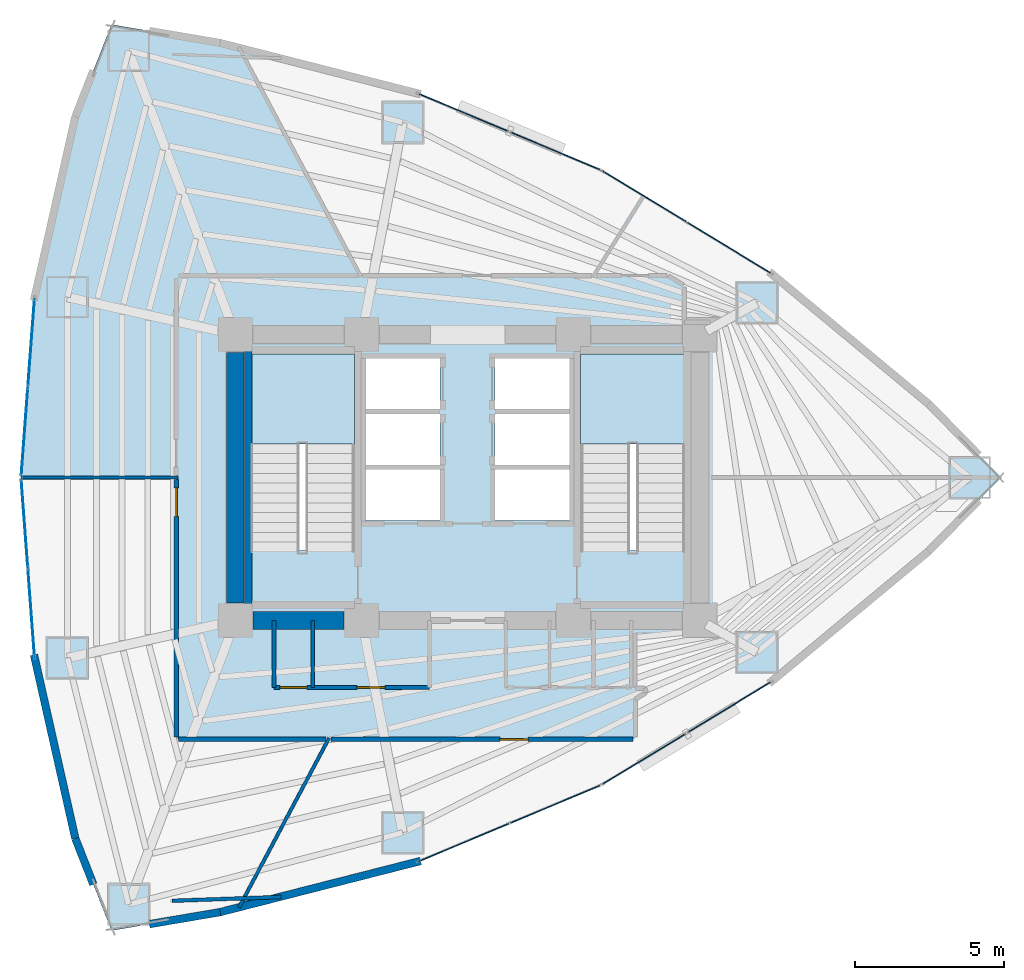
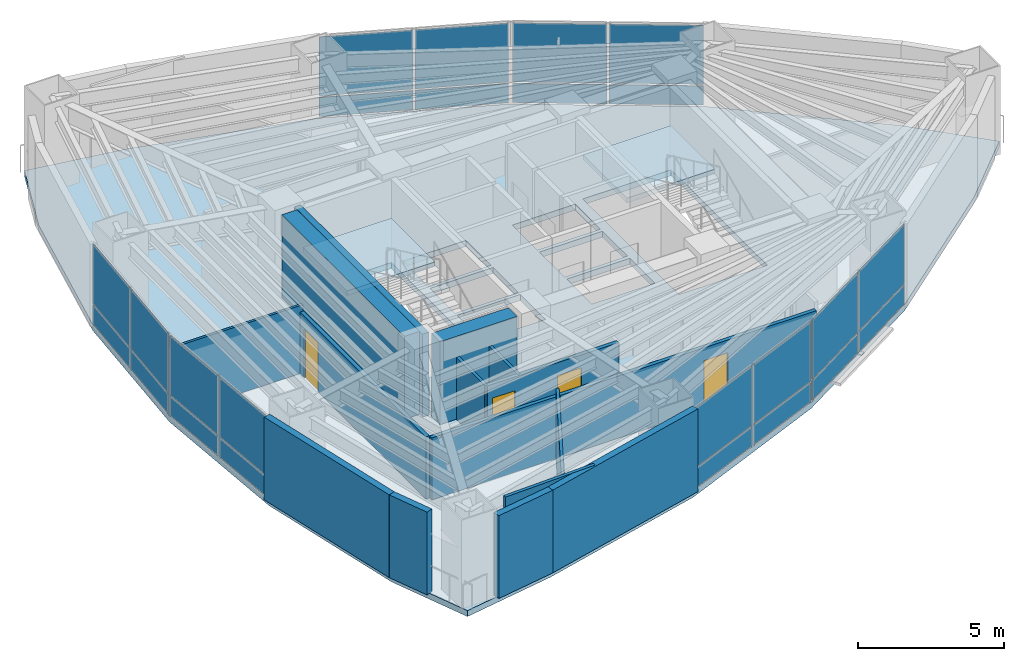
# One storey, part 13 of 18: 24 plates, 16 walls, 4 doors, 3 slabs, 4 openings, 8 elements without a shape of their own.
"""IFC4 building model written with IfcOpenShell, lengths in metres."""

from ifc_helpers import new_model, si_unit, direction, frame, frame_2d, origin, origin_2d, place, context, subcontext, project, spatial, polyline, rectangle, outline, extrude, material, layer, layer_set, type_object, element, fill, aggregate, save


model = new_model("IFC4")

# Units and contexts
model_context = context("Model", 3, precision=1e-05, world=origin(), true_north=direction((0.0, 1.0)))
body_context = subcontext(model_context, "Body", "Model", "MODEL_VIEW")
ifc_project = project(units=[si_unit("LENGTHUNIT", "METRE"), si_unit("AREAUNIT", "SQUARE_METRE"), si_unit("VOLUMEUNIT", "CUBIC_METRE"), si_unit("PLANEANGLEUNIT", "RADIAN"), si_unit("MASSUNIT", "GRAM", prefix="KILO")], contexts=[model_context])

# Site, building, storey
site_placement = place(None, origin())
site = spatial("IfcSite", under=ifc_project, at=site_placement, CompositionType="ELEMENT")
building_placement = place(site_placement, origin())
building = spatial("IfcBuilding", under=site, at=building_placement, Name="Menara Vayukalpa", CompositionType="ELEMENT")
storey_placement = place(building_placement, frame((0.0, 0.0, 35.0400390625)))
storey = spatial("IfcBuildingStorey", under=building, at=storey_placement, Name="L07", CompositionType="ELEMENT", Elevation=35.0400390625)

# Curtain wall, plates
ifc_material_1 = material(Name="Anodised Terracotta Aluminium Alloy 6063-T6", Category="masonry")
ifc_layer_1 = layer(ifc_material_1, 0.1650390625)
ifc_layer_set_1 = layer_set([ifc_layer_1], Name="Anodised Terracotta Aluminium Alloy 6063-T6")
curtain_wall_type = type_object("IfcCurtainWallType", Name="CW-CW2", PredefinedType="USERDEFINED", material=ifc_layer_set_1)
curtain_wall_1_placement = place(storey_placement, origin())
curtain_wall_1 = element("IfcCurtainWall", 1, at=curtain_wall_1_placement, inside=storey, type_object=curtain_wall_type, Name="L07 Low Rise Terracotta Ribbon Curtain Wall CW2 04", ObjectType="UNITISED", PredefinedType="USERDEFINED")
ifc_material_2 = material(Name="Low-E Double Glazing", Category="glass")
ifc_layer_2 = layer(ifc_material_2, 0.031982421875)
ifc_layer_set_2 = layer_set([ifc_layer_2], Name="Low-E Double Glazing")
plate_type = type_object("IfcPlateType", Name="CWP-CW2", PredefinedType="CURTAIN_PANEL", material=ifc_layer_set_2)
plate_1_placement = place(storey_placement, frame((34.371826171875, 29.721435546875, 0.06494140625), z_axis=(0.0, 0.0, 1.0), x_axis=(-0.854663727945, 0.519181964377, 0.0)))
plate_1 = element("IfcPlate", 2, at=plate_1_placement, type_object=plate_type, Name="CW2 panel 1.1", PredefinedType="CURTAIN_PANEL", context=body_context, shape_type="SweptSolid", body=[
    extrude(rectangle(XDim=3.24267578125, YDim=0.031982421875, at=origin_2d()), origin(), (0.0, 0.0, 1.0), 0.802490234375),
])
plate_2_placement = place(storey_placement, frame((34.371826171875, 29.721435546875, 0.9326171875), z_axis=(0.0, 0.0, 1.0), x_axis=(-0.854663727945, 0.519181964377, 0.0)))
plate_2 = element("IfcPlate", 3, at=plate_2_placement, type_object=plate_type, Name="CW2 panel 1.2", PredefinedType="CURTAIN_PANEL", context=body_context, shape_type="SweptSolid", body=[
    extrude(rectangle(XDim=3.24267578125, YDim=0.031982421875, at=origin_2d()), origin(), (0.0, 0.0, 1.0), 2.472412109375),
])
plate_3_placement = place(storey_placement, frame((31.54052734375, 31.44140625, 0.06494140625), z_axis=(0.0, 0.0, 1.0), x_axis=(-0.854663727945, 0.519181964377, 0.0)))
plate_3 = element("IfcPlate", 4, at=plate_3_placement, type_object=plate_type, Name="CW2 panel 2.1", PredefinedType="CURTAIN_PANEL", context=body_context, shape_type="SweptSolid", body=[
    extrude(rectangle(XDim=3.24267578125, YDim=0.031982421875, at=origin_2d()), origin(), (0.0, 0.0, 1.0), 0.802490234375),
])
plate_4_placement = place(storey_placement, frame((31.54052734375, 31.44140625, 0.9326171875), z_axis=(0.0, 0.0, 1.0), x_axis=(-0.854663727945, 0.519181964377, 0.0)))
plate_4 = element("IfcPlate", 5, at=plate_4_placement, type_object=plate_type, Name="CW2 panel 2.2", PredefinedType="CURTAIN_PANEL", context=body_context, shape_type="SweptSolid", body=[
    extrude(rectangle(XDim=3.24267578125, YDim=0.031982421875, at=origin_2d()), origin(), (0.0, 0.0, 1.0), 2.472412109375),
])
aggregate(curtain_wall_1, [plate_1, plate_2, plate_3, plate_4])

curtain_wall_2_placement = place(storey_placement, origin())
curtain_wall_2 = element("IfcCurtainWall", 6, at=curtain_wall_2_placement, inside=storey, type_object=curtain_wall_type, Name="L07 Low Rise Terracotta Ribbon Curtain Wall CW2 05", ObjectType="UNITISED", PredefinedType="USERDEFINED")
plate_5_placement = place(storey_placement, frame((28.534912109375, 32.97216796875, 0.06494140625), z_axis=(0.0, 0.0, 1.0), x_axis=(-0.922542658101, 0.385895120445, 0.0)))
plate_5 = element("IfcPlate", 7, at=plate_5_placement, type_object=plate_type, Name="CW2 panel 1.1", PredefinedType="CURTAIN_PANEL", context=body_context, shape_type="SweptSolid", body=[
    extrude(rectangle(XDim=3.242431640625, YDim=0.031982421875, at=origin_2d()), origin(), (0.0, 0.0, 1.0), 0.802490234375),
])
plate_6_placement = place(storey_placement, frame((28.534912109375, 32.97216796875, 0.9326171875), z_axis=(0.0, 0.0, 1.0), x_axis=(-0.922542658101, 0.385895120445, 0.0)))
plate_6 = element("IfcPlate", 8, at=plate_6_placement, type_object=plate_type, Name="CW2 panel 1.2", PredefinedType="CURTAIN_PANEL", context=body_context, shape_type="SweptSolid", body=[
    extrude(rectangle(XDim=3.242431640625, YDim=0.031982421875, at=origin_2d()), origin(), (0.0, 0.0, 1.0), 2.472412109375),
])
plate_7_placement = place(storey_placement, frame((25.478759765625, 34.250244140625, 0.06494140625), z_axis=(0.0, 0.0, 1.0), x_axis=(-0.922542658101, 0.385895120445, 0.0)))
plate_7 = element("IfcPlate", 9, at=plate_7_placement, type_object=plate_type, Name="CW2 panel 2.1", PredefinedType="CURTAIN_PANEL", context=body_context, shape_type="SweptSolid", body=[
    extrude(rectangle(XDim=3.242431640625, YDim=0.031982421875, at=origin_2d()), origin(), (0.0, 0.0, 1.0), 0.802490234375),
])
plate_8_placement = place(storey_placement, frame((25.478759765625, 34.250244140625, 0.9326171875), z_axis=(0.0, 0.0, 1.0), x_axis=(-0.922542658101, 0.385895120445, 0.0)))
plate_8 = element("IfcPlate", 10, at=plate_8_placement, type_object=plate_type, Name="CW2 panel 2.2", PredefinedType="CURTAIN_PANEL", context=body_context, shape_type="SweptSolid", body=[
    extrude(rectangle(XDim=3.242431640625, YDim=0.031982421875, at=origin_2d()), origin(), (0.0, 0.0, 1.0), 2.472412109375),
])
aggregate(curtain_wall_2, [plate_5, plate_6, plate_7, plate_8])

curtain_wall_3_placement = place(storey_placement, origin())
curtain_wall_3 = element("IfcCurtainWall", 11, at=curtain_wall_3_placement, inside=storey, type_object=curtain_wall_type, Name="L07 Low Rise Terracotta Ribbon Curtain Wall CW2 10", ObjectType="UNITISED", PredefinedType="USERDEFINED")
plate_9_placement = place(storey_placement, frame((10.94921875, 26.52734375, 0.06494140625), z_axis=(0.0, 0.0, 1.0), x_axis=(-0.074794857576, -0.997198941676, 0.0)))
plate_9 = element("IfcPlate", 12, at=plate_9_placement, type_object=plate_type, Name="CW2 panel 1.1", PredefinedType="CURTAIN_PANEL", context=body_context, shape_type="SweptSolid", body=[
    extrude(rectangle(XDim=2.933349609375, YDim=0.031982421875, at=origin_2d()), origin(), (0.0, 0.0, 1.0), 0.802490234375),
])
plate_10_placement = place(storey_placement, frame((10.94921875, 26.52734375, 0.9326171875), z_axis=(0.0, 0.0, 1.0), x_axis=(-0.074794857576, -0.997198941676, 0.0)))
plate_10 = element("IfcPlate", 13, at=plate_10_placement, type_object=plate_type, Name="CW2 panel 1.2", PredefinedType="CURTAIN_PANEL", context=body_context, shape_type="SweptSolid", body=[
    extrude(rectangle(XDim=2.933349609375, YDim=0.031982421875, at=origin_2d()), origin(), (0.0, 0.0, 1.0), 2.472412109375),
])
plate_11_placement = place(storey_placement, frame((10.724609375, 23.532470703125, 0.06494140625), z_axis=(0.0, 0.0, 1.0), x_axis=(-0.074794857576, -0.997198941676, 0.0)))
plate_11 = element("IfcPlate", 14, at=plate_11_placement, type_object=plate_type, Name="CW2 panel 2.1", PredefinedType="CURTAIN_PANEL", context=body_context, shape_type="SweptSolid", body=[
    extrude(rectangle(XDim=2.933349609375, YDim=0.031982421875, at=origin_2d()), origin(), (0.0, 0.0, 1.0), 0.802490234375),
])
plate_12_placement = place(storey_placement, frame((10.724609375, 23.532470703125, 0.9326171875), z_axis=(0.0, 0.0, 1.0), x_axis=(-0.074794857576, -0.997198941676, 0.0)))
plate_12 = element("IfcPlate", 15, at=plate_12_placement, type_object=plate_type, Name="CW2 panel 2.2", PredefinedType="CURTAIN_PANEL", context=body_context, shape_type="SweptSolid", body=[
    extrude(rectangle(XDim=2.933349609375, YDim=0.031982421875, at=origin_2d()), origin(), (0.0, 0.0, 1.0), 2.472412109375),
])
aggregate(curtain_wall_3, [plate_9, plate_10, plate_11, plate_12])

curtain_wall_4_placement = place(storey_placement, origin())
curtain_wall_4 = element("IfcCurtainWall", 16, at=curtain_wall_4_placement, inside=storey, type_object=curtain_wall_type, Name="L07 Low Rise Terracotta Ribbon Curtain Wall CW2 11", ObjectType="UNITISED", PredefinedType="USERDEFINED")
plate_13_placement = place(storey_placement, frame((10.724609375, 20.467529296875, 0.06494140625), z_axis=(0.0, 0.0, 1.0), x_axis=(0.074794857576, -0.997198941676, 0.0)))
plate_13 = element("IfcPlate", 17, at=plate_13_placement, type_object=plate_type, Name="CW2 panel 1.1", PredefinedType="CURTAIN_PANEL", context=body_context, shape_type="SweptSolid", body=[
    extrude(rectangle(XDim=2.933349609375, YDim=0.031982421875, at=origin_2d()), origin(), (0.0, 0.0, 1.0), 0.802490234375),
])
plate_14_placement = place(storey_placement, frame((10.724609375, 20.467529296875, 0.9326171875), z_axis=(0.0, 0.0, 1.0), x_axis=(0.074794857576, -0.997198941676, 0.0)))
plate_14 = element("IfcPlate", 18, at=plate_14_placement, type_object=plate_type, Name="CW2 panel 1.2", PredefinedType="CURTAIN_PANEL", context=body_context, shape_type="SweptSolid", body=[
    extrude(rectangle(XDim=2.933349609375, YDim=0.031982421875, at=origin_2d()), origin(), (0.0, 0.0, 1.0), 2.472412109375),
])
plate_15_placement = place(storey_placement, frame((10.94921875, 17.47265625, 0.06494140625), z_axis=(0.0, 0.0, 1.0), x_axis=(0.074794857576, -0.997198941676, 0.0)))
plate_15 = element("IfcPlate", 19, at=plate_15_placement, type_object=plate_type, Name="CW2 panel 2.1", PredefinedType="CURTAIN_PANEL", context=body_context, shape_type="SweptSolid", body=[
    extrude(rectangle(XDim=2.933349609375, YDim=0.031982421875, at=origin_2d()), origin(), (0.0, 0.0, 1.0), 0.802490234375),
])
plate_16_placement = place(storey_placement, frame((10.94921875, 17.47265625, 0.9326171875), z_axis=(0.0, 0.0, 1.0), x_axis=(0.074794857576, -0.997198941676, 0.0)))
plate_16 = element("IfcPlate", 20, at=plate_16_placement, type_object=plate_type, Name="CW2 panel 2.2", PredefinedType="CURTAIN_PANEL", context=body_context, shape_type="SweptSolid", body=[
    extrude(rectangle(XDim=2.933349609375, YDim=0.031982421875, at=origin_2d()), origin(), (0.0, 0.0, 1.0), 2.472412109375),
])
aggregate(curtain_wall_4, [plate_13, plate_14, plate_15, plate_16])

curtain_wall_5_placement = place(storey_placement, origin())
curtain_wall_5 = element("IfcCurtainWall", 21, at=curtain_wall_5_placement, inside=storey, type_object=curtain_wall_type, Name="L07 Low Rise Terracotta Ribbon Curtain Wall CW2 16", ObjectType="UNITISED", PredefinedType="USERDEFINED")
plate_17_placement = place(storey_placement, frame((25.478759765625, 9.749755859375, 0.06494140625), z_axis=(0.0, 0.0, 1.0), x_axis=(0.922542658101, 0.385895120445, 0.0)))
plate_17 = element("IfcPlate", 22, at=plate_17_placement, type_object=plate_type, Name="CW2 panel 1.1", PredefinedType="CURTAIN_PANEL", context=body_context, shape_type="SweptSolid", body=[
    extrude(rectangle(XDim=3.242431640625, YDim=0.031982421875, at=origin_2d()), origin(), (0.0, 0.0, 1.0), 0.802490234375),
])
plate_18_placement = place(storey_placement, frame((25.478759765625, 9.749755859375, 0.9326171875), z_axis=(0.0, 0.0, 1.0), x_axis=(0.922542658101, 0.385895120445, 0.0)))
plate_18 = element("IfcPlate", 23, at=plate_18_placement, type_object=plate_type, Name="CW2 panel 1.2", PredefinedType="CURTAIN_PANEL", context=body_context, shape_type="SweptSolid", body=[
    extrude(rectangle(XDim=3.242431640625, YDim=0.031982421875, at=origin_2d()), origin(), (0.0, 0.0, 1.0), 2.472412109375),
])
plate_19_placement = place(storey_placement, frame((28.534912109375, 11.02783203125, 0.06494140625), z_axis=(0.0, 0.0, 1.0), x_axis=(0.922542658101, 0.385895120445, 0.0)))
plate_19 = element("IfcPlate", 24, at=plate_19_placement, type_object=plate_type, Name="CW2 panel 2.1", PredefinedType="CURTAIN_PANEL", context=body_context, shape_type="SweptSolid", body=[
    extrude(rectangle(XDim=3.242431640625, YDim=0.031982421875, at=origin_2d()), origin(), (0.0, 0.0, 1.0), 0.802490234375),
])
plate_20_placement = place(storey_placement, frame((28.534912109375, 11.02783203125, 0.9326171875), z_axis=(0.0, 0.0, 1.0), x_axis=(0.922542658101, 0.385895120445, 0.0)))
plate_20 = element("IfcPlate", 25, at=plate_20_placement, type_object=plate_type, Name="CW2 panel 2.2", PredefinedType="CURTAIN_PANEL", context=body_context, shape_type="SweptSolid", body=[
    extrude(rectangle(XDim=3.242431640625, YDim=0.031982421875, at=origin_2d()), origin(), (0.0, 0.0, 1.0), 2.472412109375),
])
aggregate(curtain_wall_5, [plate_17, plate_18, plate_19, plate_20])

curtain_wall_6_placement = place(storey_placement, origin())
curtain_wall_6 = element("IfcCurtainWall", 26, at=curtain_wall_6_placement, inside=storey, type_object=curtain_wall_type, Name="L07 Low Rise Terracotta Ribbon Curtain Wall CW2 17", ObjectType="UNITISED", PredefinedType="USERDEFINED")
plate_21_placement = place(storey_placement, frame((31.54052734375, 12.55859375, 0.06494140625), z_axis=(0.0, 0.0, 1.0), x_axis=(0.854663727945, 0.519181964377, 0.0)))
plate_21 = element("IfcPlate", 27, at=plate_21_placement, type_object=plate_type, Name="CW2 panel 1.1", PredefinedType="CURTAIN_PANEL", context=body_context, shape_type="SweptSolid", body=[
    extrude(rectangle(XDim=3.24267578125, YDim=0.031982421875, at=origin_2d()), origin(), (0.0, 0.0, 1.0), 0.802490234375),
])
plate_22_placement = place(storey_placement, frame((31.54052734375, 12.55859375, 0.9326171875), z_axis=(0.0, 0.0, 1.0), x_axis=(0.854663727945, 0.519181964377, 0.0)))
plate_22 = element("IfcPlate", 28, at=plate_22_placement, type_object=plate_type, Name="CW2 panel 1.2", PredefinedType="CURTAIN_PANEL", context=body_context, shape_type="SweptSolid", body=[
    extrude(rectangle(XDim=3.24267578125, YDim=0.031982421875, at=origin_2d()), origin(), (0.0, 0.0, 1.0), 2.472412109375),
])
plate_23_placement = place(storey_placement, frame((34.371826171875, 14.278564453125, 0.06494140625), z_axis=(0.0, 0.0, 1.0), x_axis=(0.854663727945, 0.519181964377, 0.0)))
plate_23 = element("IfcPlate", 29, at=plate_23_placement, type_object=plate_type, Name="CW2 panel 2.1", PredefinedType="CURTAIN_PANEL", context=body_context, shape_type="SweptSolid", body=[
    extrude(rectangle(XDim=3.24267578125, YDim=0.031982421875, at=origin_2d()), origin(), (0.0, 0.0, 1.0), 0.802490234375),
])
plate_24_placement = place(storey_placement, frame((34.371826171875, 14.278564453125, 0.9326171875), z_axis=(0.0, 0.0, 1.0), x_axis=(0.854663727945, 0.519181964377, 0.0)))
plate_24 = element("IfcPlate", 30, at=plate_24_placement, type_object=plate_type, Name="CW2 panel 2.2", PredefinedType="CURTAIN_PANEL", context=body_context, shape_type="SweptSolid", body=[
    extrude(rectangle(XDim=3.24267578125, YDim=0.031982421875, at=origin_2d()), origin(), (0.0, 0.0, 1.0), 2.472412109375),
])
aggregate(curtain_wall_6, [plate_21, plate_22, plate_23, plate_24])

# Slab
ifc_material_3 = material(Name="Concrete C40/50", Category="concrete")
ifc_layer_3 = layer(ifc_material_3, 0.25)
ifc_layer_set_3 = layer_set([ifc_layer_3], Name="Concrete C40/50")
slab_type_1 = type_object("IfcSlabType", Name="SLB-FL250", PredefinedType="FLOOR", material=ifc_layer_set_3)
slab_1_placement = place(storey_placement, frame((0.0, 0.0, -0.25)))
element("IfcSlab", 31, at=slab_1_placement, inside=storey, type_object=slab_type_1, Name="L07 Structural Floor Slab", PredefinedType="FLOOR", context=body_context, shape_type="SweptSolid", body=[
    extrude(outline(polyline([(41.084716796875, 19.52490234375), (43.514892578125, 22.0), (41.084716796875, 24.47509765625), (35.817138671875, 28.843505859375), (30.09521484375, 32.3193359375), (23.918701171875, 34.903076171875), (17.28759765625, 36.59423828125), (13.642578125, 37.212890625), (12.427490234375, 34.119140625), (11.064208984375, 28.0595703125), (10.609619140625, 22.0), (11.064208984375, 15.9404296875), (12.427490234375, 9.880859375), (13.642578125, 6.787109375), (17.28759765625, 7.40576171875), (23.918701171875, 9.096923828125), (30.09521484375, 11.6806640625), (35.817138671875, 15.156494140625), (41.084716796875, 19.52490234375)]), holes=[polyline([(21.800048828125, 19.550048828125), (21.800048828125, 26.14990234375), (18.300048828125, 26.14990234375), (18.300048828125, 19.550048828125), (21.800048828125, 19.550048828125)]), polyline([(32.89990234375, 19.550048828125), (32.89990234375, 26.14990234375), (29.39990234375, 26.14990234375), (29.39990234375, 19.550048828125), (32.89990234375, 19.550048828125)]), polyline([(22.179931640625, 20.550048828125), (24.679931640625, 20.550048828125), (24.679931640625, 22.27001953125), (22.179931640625, 22.27001953125), (22.179931640625, 20.550048828125)]), polyline([(26.52001953125, 20.550048828125), (29.02001953125, 20.550048828125), (29.02001953125, 22.27001953125), (26.52001953125, 22.27001953125), (26.52001953125, 20.550048828125)]), polyline([(22.179931640625, 22.419921875), (24.679931640625, 22.419921875), (24.679931640625, 24.139892578125), (22.179931640625, 24.139892578125), (22.179931640625, 22.419921875)]), polyline([(22.179931640625, 24.2900390625), (24.679931640625, 24.2900390625), (24.679931640625, 26.010009765625), (22.179931640625, 26.010009765625), (22.179931640625, 24.2900390625)]), polyline([(26.52001953125, 24.2900390625), (29.02001953125, 24.2900390625), (29.02001953125, 26.010009765625), (26.52001953125, 26.010009765625), (26.52001953125, 24.2900390625)]), polyline([(26.52001953125, 22.419921875), (29.02001953125, 22.419921875), (29.02001953125, 24.139892578125), (26.52001953125, 24.139892578125), (26.52001953125, 22.419921875)])]), origin(), (0.0, 0.0, 1.0), 0.25),
])

# Stair, slab
ifc_material_4 = material(Name="Precast Concrete C40/50", Category="concrete")
stair_type = type_object("IfcStairType", Name="STR-T04", PredefinedType="DOUBLE_RETURN_STAIR", material=ifc_material_4)
stair_1_placement = place(storey_placement, origin())
stair_1 = element("IfcStair", 32, at=stair_1_placement, inside=storey, type_object=stair_type, Name="L07 Core Exit Stair ST-1", PredefinedType="DOUBLE_RETURN_STAIR")
ifc_material_5 = material(Name="Precast Concrete C40/50", Category="concrete")
ifc_layer_4 = layer(ifc_material_5, 0.199951171875)
ifc_layer_set_4 = layer_set([ifc_layer_4], Name="Precast Concrete C40/50")
slab_type_2 = type_object("IfcSlabType", Name="SLB-LND200", PredefinedType="LANDING", material=ifc_layer_set_4)
slab_2_placement = place(storey_placement, frame((0.0, 0.0, 1.659912109375)))
slab_2 = element("IfcSlab", 33, at=slab_2_placement, type_object=slab_type_2, Name="ST-1 landing 1", PredefinedType="LANDING", context=body_context, shape_type="SweptSolid", body=[
    extrude(outline(polyline([(21.800048828125, 23.1298828125), (21.800048828125, 26.14990234375), (18.300048828125, 26.14990234375), (18.300048828125, 23.1298828125), (21.800048828125, 23.1298828125)])), origin(), (0.0, 0.0, 1.0), 0.199951171875),
])
aggregate(stair_1, [slab_2])

stair_2_placement = place(storey_placement, origin())
stair_2 = element("IfcStair", 34, at=stair_2_placement, inside=storey, type_object=stair_type, Name="L07 Core Exit Stair ST-2", PredefinedType="DOUBLE_RETURN_STAIR")
slab_3_placement = place(storey_placement, frame((0.0, 0.0, 1.659912109375)))
slab_3 = element("IfcSlab", 35, at=slab_3_placement, type_object=slab_type_2, Name="ST-2 landing 1", PredefinedType="LANDING", context=body_context, shape_type="SweptSolid", body=[
    extrude(outline(polyline([(32.89990234375, 23.1298828125), (32.89990234375, 26.14990234375), (29.39990234375, 26.14990234375), (29.39990234375, 23.1298828125), (32.89990234375, 23.1298828125)])), origin(), (0.0, 0.0, 1.0), 0.199951171875),
])
aggregate(stair_2, [slab_3])

# Walls
ifc_material_6 = material(Name="Concrete C70/85", Category="concrete")
ifc_layer_5 = layer(ifc_material_6, 0.60009765625)
ifc_layer_set_5 = layer_set([ifc_layer_5], Name="Concrete C70/85")
wall_type_1 = type_object("IfcWallType", Name="WAL-CW600", PredefinedType="SHEAR", material=ifc_layer_set_5)
wall_1_placement = place(storey_placement, frame((18.39501953125, 17.199951171875, 0.0), z_axis=(0.0, 0.0, 1.0), x_axis=(1.0, 0.0, 0.0)))
element("IfcWall", 36, at=wall_1_placement, inside=storey, type_object=wall_type_1, Name="L07 Buttressed Core Shear Wall CWS1", PredefinedType="SHEAR", context=body_context, shape_type="SweptSolid", body=[
    extrude(rectangle(XDim=3.06005859375, YDim=0.60009765625, at=frame_2d((1.530029296875, 0.0))), origin(), (0.0, 0.0, 1.0), 3.469970703125),
])
wall_2_placement = place(storey_placement, frame((17.800048828125, 17.794921875, 0.0), z_axis=(0.0, 0.0, 1.0), x_axis=(0.0, 1.0, 0.0)))
element("IfcWall", 37, at=wall_2_placement, inside=storey, type_object=wall_type_1, Name="L07 Buttressed Core Shear Wall CWW1", PredefinedType="SHEAR", context=body_context, shape_type="SweptSolid", body=[
    extrude(rectangle(XDim=8.41015625, YDim=0.60009765625, at=frame_2d((4.205078125, 0.0))), origin(), (0.0, 0.0, 1.0), 3.469970703125),
])
ifc_material_7 = material(Name="Insulated Precast Concrete C40/50", Category="concrete")
ifc_layer_6 = layer(ifc_material_7, 0.260009765625)
ifc_layer_set_6 = layer_set([ifc_layer_6], Name="Insulated Precast Concrete C40/50")
wall_type_2 = type_object("IfcWallType", Name="WAL-EXT260", PredefinedType="PARTITIONING", material=ifc_layer_set_6)
wall_3_placement = place(storey_placement, frame((12.427490234375, 9.880859375, 0.0), z_axis=(0.0, 0.0, 1.0), x_axis=(-0.219502085231, 0.975612030768, 0.0)))
element("IfcWall", 38, at=wall_3_placement, inside=storey, type_object=wall_type_2, Name="L07 Perimeter Terracotta Pier Wall 12", PredefinedType="PARTITIONING", context=body_context, shape_type="SweptSolid", body=[
    extrude(rectangle(XDim=6.32080078125, YDim=0.260009765625, at=frame_2d((3.160400390625, 0.0))), origin(), (0.0, 0.0, 1.0), 3.469970703125),
])
wall_4_placement = place(storey_placement, frame((13.033203125, 8.339111328125, 0.0), z_axis=(0.0, 0.0, 1.0), x_axis=(-0.365666052462, 0.930746119023, 0.0)))
element("IfcWall", 39, at=wall_4_placement, inside=storey, type_object=wall_type_2, Name="L07 Perimeter Terracotta Pier Wall 13", PredefinedType="PARTITIONING", context=body_context, shape_type="SweptSolid", body=[
    extrude(rectangle(XDim=1.656494140625, YDim=0.260009765625, at=frame_2d((0.828125, 0.0))), origin(), (0.0, 0.0, 1.0), 3.469970703125),
])
wall_5_placement = place(storey_placement, frame((17.29345703125, 7.40673828125, 0.0), z_axis=(0.0, 0.0, 1.0), x_axis=(-0.985905469923, -0.167303330437, 0.0)))
element("IfcWall", 40, at=wall_5_placement, inside=storey, type_object=wall_type_2, Name="L07 Perimeter Terracotta Pier Wall 14", PredefinedType="PARTITIONING", context=body_context, shape_type="SweptSolid", body=[
    extrude(rectangle(XDim=2.412109375, YDim=0.260009765625, at=frame_2d((1.2060546875, 0.0))), origin(), (0.0, 0.0, 1.0), 3.469970703125),
])
wall_6_placement = place(storey_placement, frame((24.025146484375, 9.124267578125, 0.0), z_axis=(0.0, 0.0, 1.0), x_axis=(-0.968977974408, -0.247147092057, 0.0)))
element("IfcWall", 41, at=wall_6_placement, inside=storey, type_object=wall_type_2, Name="L07 Perimeter Terracotta Pier Wall 15", PredefinedType="PARTITIONING", context=body_context, shape_type="SweptSolid", body=[
    extrude(rectangle(XDim=6.959228515625, YDim=0.260009765625, at=frame_2d((3.4794921875, 0.0))), origin(), (0.0, 0.0, 1.0), 3.469970703125),
])
ifc_material_8 = material(Name="Glazed Demountable Office Partition", Category="glass")
ifc_layer_7 = layer(ifc_material_8, 0.094970703125)
ifc_layer_set_7 = layer_set([ifc_layer_7], Name="Glazed Demountable Office Partition")
wall_type_3 = type_object("IfcWallType", Name="WAL-PT100", PredefinedType="PARTITIONING", material=ifc_layer_set_7)
wall_7_placement = place(storey_placement, frame((15.8701171875, 22.0, 0.0), z_axis=(0.0, 0.0, 1.0), x_axis=(-1.0, 0.0, 0.0)))
element("IfcWall", 42, at=wall_7_placement, inside=storey, type_object=wall_type_3, Name="L07 Interior Partition IW-L07-RDIV04", PredefinedType="PARTITIONING", context=body_context, shape_type="SweptSolid", body=[
    extrude(rectangle(XDim=5.2705078125, YDim=0.094970703125, at=frame_2d((2.63525390625, 0.0))), origin(), (0.0, 0.0, 1.0), 2.849853515625),
])
ifc_material_9 = material(Name="Acoustic Mineral Stud Partition", Category="masonry")
ifc_layer_8 = layer(ifc_material_9, 0.110107421875)
ifc_layer_set_8 = layer_set([ifc_layer_8], Name="Acoustic Mineral Stud Partition")
wall_type_4 = type_object("IfcWallType", Name="WAL-PT110", PredefinedType="PARTITIONING", material=ifc_layer_set_8)
wall_8_placement = place(storey_placement, frame((20.39990234375, 14.949951171875, 0.0), z_axis=(0.0, 0.0, 1.0), x_axis=(0.0, 1.0, 0.0)))
element("IfcWall", 43, at=wall_8_placement, inside=storey, type_object=wall_type_4, Name="L07 Interior Partition IW-L07-SVCD-02", PredefinedType="PARTITIONING", context=body_context, shape_type="SweptSolid", body=[
    extrude(rectangle(XDim=2.25, YDim=0.110107421875, at=frame_2d((1.125, 0.0))), origin(), (0.0, 0.0, 1.0), 2.599853515625),
])
wall_9_placement = place(storey_placement, frame((20.952880859375, 13.260009765625, 0.0), z_axis=(0.0, 0.0, 1.0), x_axis=(-0.469479450278, -0.88294339896, 0.0)))
element("IfcWall", 44, at=wall_9_placement, inside=storey, type_object=wall_type_4, Name="L07 Interior Partition IW-L07-RDIV05", PredefinedType="PARTITIONING", context=body_context, shape_type="SweptSolid", body=[
    extrude(rectangle(XDim=6.459228515625, YDim=0.110107421875, at=frame_2d((3.2294921875, 0.0))), origin(), (0.0, 0.0, 1.0), 2.849853515625),
])
ifc_material_10 = material(Name="Gypsum Drywall Steel Stud Assembly", Category="steel")
ifc_layer_9 = layer(ifc_material_10, 0.125)
ifc_layer_set_9 = layer_set([ifc_layer_9], Name="Gypsum Drywall Steel Stud Assembly")
wall_type_5 = type_object("IfcWallType", Name="WAL-PT125", PredefinedType="PARTITIONING", material=ifc_layer_set_9)
wall_10_placement = place(storey_placement, frame((19.10009765625, 14.949951171875, 0.0), z_axis=(0.0, 0.0, 1.0), x_axis=(0.0, 1.0, 0.0)))
element("IfcWall", 45, at=wall_10_placement, inside=storey, type_object=wall_type_5, Name="L07 Interior Partition IW-L07-SVCD-01", PredefinedType="PARTITIONING", context=body_context, shape_type="SweptSolid", body=[
    extrude(rectangle(XDim=2.25, YDim=0.125, at=frame_2d((1.125, 0.0))), origin(), (0.0, 0.0, 1.0), 2.599853515625),
])
wall_11_placement = place(storey_placement, frame((15.68994140625, 7.7890625, 0.0), z_axis=(0.0, 0.0, 1.0), x_axis=(0.999389725088, 0.03493103762, 0.0)))
element("IfcWall", 46, at=wall_11_placement, inside=storey, type_object=wall_type_5, Name="L07 Interior Partition IW-L07-RDIV07", PredefinedType="PARTITIONING", context=body_context, shape_type="SweptSolid", body=[
    extrude(rectangle(XDim=3.641357421875, YDim=0.125, at=frame_2d((1.82080078125, 0.0))), origin(), (0.0, 0.0, 1.0), 3.469970703125),
])

# Wall, openings, doors
ifc_material_11 = material(Name="Gypsum Drywall Acoustic Stud Assembly", Category="masonry")
ifc_layer_10 = layer(ifc_material_11, 0.14501953125)
ifc_layer_set_10 = layer_set([ifc_layer_10], Name="Gypsum Drywall Acoustic Stud Assembly")
wall_type_6 = type_object("IfcWallType", Name="WAL-PT150", PredefinedType="PARTITIONING", material=ifc_layer_set_10)
wall_12_placement = place(storey_placement, frame((19.10009765625, 14.949951171875, 0.0), z_axis=(0.0, 0.0, 1.0), x_axis=(1.0, 0.0, 0.0)))
wall_12 = element("IfcWall", 47, at=wall_12_placement, inside=storey, type_object=wall_type_6, Name="L07 Interior Partition IW-L07-SVCS-W", PredefinedType="PARTITIONING", context=body_context, shape_type="SweptSolid", body=[
    extrude(rectangle(XDim=5.219970703125, YDim=0.14501953125, at=frame_2d((2.60986328125, 0.0))), origin(), (0.0, 0.0, 1.0), 2.599853515625),
])
opening_1_placement = place(wall_12_placement, frame((0.199951171875, 0.0, 0.0)))
opening_1 = element("IfcOpeningElement", 48, at=opening_1_placement, cuts=wall_12, Name="Opening ID7", PredefinedType="OPENING", context=body_context, shape_type="SweptSolid", body=[
    extrude(rectangle(XDim=0.89990234375, YDim=2.02001953125, at=frame_2d((0.449951171875, 1.010009765625))), frame((0.0, 0.08251953125, 0.0), z_axis=(0.0, -1.0, 0.0), x_axis=(1.0, 0.0, 0.0)), (0.0, 0.0, 1.0), 0.1650390625),
])
opening_2_placement = place(wall_12_placement, frame((2.784912109375, 0.0, 0.0)))
opening_2 = element("IfcOpeningElement", 49, at=opening_2_placement, cuts=wall_12, Name="Opening ID5", PredefinedType="OPENING", context=body_context, shape_type="SweptSolid", body=[
    extrude(rectangle(XDim=0.949951171875, YDim=2.06005859375, at=frame_2d((0.47509765625, 1.030029296875))), frame((0.0, 0.08251953125, 0.0), z_axis=(0.0, -1.0, 0.0), x_axis=(1.0, 0.0, 0.0)), (0.0, 0.0, 1.0), 0.1650390625),
])
ifc_material_12 = material(Name="Acoustic Hardwood Veneer Timber Door", Category="wood")
door_type_1 = type_object("IfcDoorType", Name="DR-INT95", OperationType="NOTDEFINED", PredefinedType="DOOR", material=ifc_material_12)
door_1_placement = place(opening_2_placement, origin())
door_1 = element("IfcDoor", 50, at=door_1_placement, inside=storey, type_object=door_type_1, Name="L07 Interior Door DR-L07-AWC", OperationType="SINGLE_SWING_RIGHT", OverallHeight=2.06005859375, OverallWidth=0.949951171875, PredefinedType="DOOR", context=body_context, shape_type="SweptSolid", body=[
    extrude(rectangle(XDim=0.949951171875, YDim=2.06005859375, at=frame_2d((0.47509765625, 1.030029296875))), frame((0.0, 0.02490234375, 0.0), z_axis=(0.0, -1.0, 0.0), x_axis=(1.0, 0.0, 0.0)), (0.0, 0.0, 1.0), 0.050048828125),
])
fill(opening_2, door_1)
ifc_material_13 = material(Name="Powder-Coated Steel Riser Access Door", Category="steel")
door_type_2 = type_object("IfcDoorType", Name="DR-RISER", OperationType="NOTDEFINED", PredefinedType="DOOR", material=ifc_material_13)
door_2_placement = place(opening_1_placement, origin())
door_2 = element("IfcDoor", 51, at=door_2_placement, inside=storey, type_object=door_type_2, Name="L07 Interior Door DR-L07-ELR", OperationType="SINGLE_SWING_LEFT", OverallHeight=2.02001953125, OverallWidth=0.89990234375, PredefinedType="DOOR", context=body_context, shape_type="SweptSolid", body=[
    extrude(rectangle(XDim=0.89990234375, YDim=2.02001953125, at=frame_2d((0.449951171875, 1.010009765625))), frame((0.0, 0.02490234375, 0.0), z_axis=(0.0, -1.0, 0.0), x_axis=(1.0, 0.0, 0.0)), (0.0, 0.0, 1.0), 0.050048828125),
])
fill(opening_1, door_2)

# Wall, opening, door
wall_13_placement = place(storey_placement, frame((15.820068359375, 21.929931640625, 0.0), z_axis=(0.0, 0.0, 1.0), x_axis=(0.0, -1.0, 0.0)))
wall_13 = element("IfcWall", 52, at=wall_13_placement, inside=storey, type_object=wall_type_6, Name="L07 Interior Partition IW-L07-CRM01-1", PredefinedType="PARTITIONING", context=body_context, shape_type="SweptSolid", body=[
    extrude(rectangle(XDim=8.639892578125, YDim=0.14501953125, at=frame_2d((4.31982421875, 0.0))), origin(), (0.0, 0.0, 1.0), 2.599853515625),
])
opening_3_placement = place(wall_13_placement, frame((0.280029296875, 0.0, 0.0)))
opening_3 = element("IfcOpeningElement", 53, at=opening_3_placement, cuts=wall_13, Name="Opening ID5", PredefinedType="OPENING", context=body_context, shape_type="SweptSolid", body=[
    extrude(rectangle(XDim=0.949951171875, YDim=2.06005859375, at=frame_2d((0.47509765625, 1.030029296875))), frame((0.0, 0.08251953125, 0.0), z_axis=(0.0, -1.0, 0.0), x_axis=(1.0, 0.0, 0.0)), (0.0, 0.0, 1.0), 0.1650390625),
])
door_3_placement = place(opening_3_placement, origin())
door_3 = element("IfcDoor", 54, at=door_3_placement, inside=storey, type_object=door_type_1, Name="L07 Interior Door DR-L07-RM01", OperationType="SINGLE_SWING_RIGHT", OverallHeight=2.06005859375, OverallWidth=0.949951171875, PredefinedType="DOOR", context=body_context, shape_type="SweptSolid", body=[
    extrude(rectangle(XDim=0.949951171875, YDim=2.06005859375, at=frame_2d((0.47509765625, 1.030029296875))), frame((0.0, 0.02490234375, 0.0), z_axis=(0.0, -1.0, 0.0), x_axis=(1.0, 0.0, 0.0)), (0.0, 0.0, 1.0), 0.050048828125),
])
fill(opening_3, door_3)

# Wall
wall_14_placement = place(storey_placement, frame((15.89990234375, 13.2099609375, 0.0), z_axis=(0.0, 0.0, 1.0), x_axis=(1.0, 0.0, 0.0)))
element("IfcWall", 55, at=wall_14_placement, inside=storey, type_object=wall_type_6, Name="L07 Interior Partition IW-L07-CRM01-2", PredefinedType="PARTITIONING", context=body_context, shape_type="SweptSolid", body=[
    extrude(rectangle(XDim=4.947021484375, YDim=0.14501953125, at=frame_2d((2.4736328125, 0.0))), origin(), (0.0, 0.0, 1.0), 2.599853515625),
])

# Wall, opening, door
wall_15_placement = place(storey_placement, frame((21.005615234375, 13.2099609375, 0.0), z_axis=(0.0, 0.0, 1.0), x_axis=(1.0, 0.0, 0.0)))
wall_15 = element("IfcWall", 56, at=wall_15_placement, inside=storey, type_object=wall_type_6, Name="L07 Interior Partition IW-L07-CRM03-1", PredefinedType="PARTITIONING", context=body_context, shape_type="SweptSolid", body=[
    extrude(rectangle(XDim=10.144287109375, YDim=0.14501953125, at=frame_2d((5.072265625, 0.0))), origin(), (0.0, 0.0, 1.0), 2.599853515625),
])
opening_4_placement = place(wall_15_placement, frame((5.676513671875, 0.0, 0.0)))
opening_4 = element("IfcOpeningElement", 57, at=opening_4_placement, cuts=wall_15, Name="Opening ID5", PredefinedType="OPENING", context=body_context, shape_type="SweptSolid", body=[
    extrude(rectangle(XDim=0.949951171875, YDim=2.06005859375, at=frame_2d((0.47509765625, 1.030029296875))), frame((0.0, 0.08251953125, 0.0), z_axis=(0.0, -1.0, 0.0), x_axis=(1.0, 0.0, 0.0)), (0.0, 0.0, 1.0), 0.1650390625),
])
door_4_placement = place(opening_4_placement, origin())
door_4 = element("IfcDoor", 58, at=door_4_placement, inside=storey, type_object=door_type_1, Name="L07 Interior Door DR-L07-RM03", OperationType="SINGLE_SWING_LEFT", OverallHeight=2.06005859375, OverallWidth=0.949951171875, PredefinedType="DOOR", context=body_context, shape_type="SweptSolid", body=[
    extrude(rectangle(XDim=0.949951171875, YDim=2.06005859375, at=frame_2d((0.47509765625, 1.030029296875))), frame((0.0, 0.02490234375, 0.0), z_axis=(0.0, -1.0, 0.0), x_axis=(1.0, 0.0, 0.0)), (0.0, 0.0, 1.0), 0.050048828125),
])
fill(opening_4, door_4)

# Wall
ifc_material_14 = material(Name="Concrete C50/60", Category="concrete")
ifc_layer_11 = layer(ifc_material_14, 0.25)
ifc_layer_set_11 = layer_set([ifc_layer_11], Name="Concrete C50/60")
wall_type_7 = type_object("IfcWallType", Name="WAL-SW250", PredefinedType="SHEAR", material=ifc_layer_set_11)
wall_16_placement = place(storey_placement, frame((18.22900390625, 17.60009765625, 0.0), z_axis=(0.0, 0.0, 1.0), x_axis=(0.0, 1.0, 0.0)))
element("IfcWall", 59, at=wall_16_placement, inside=storey, type_object=wall_type_7, Name="L07 ST1 Structural Stair Shaft Wall W", PredefinedType="SHEAR", context=body_context, shape_type="SweptSolid", body=[
    extrude(rectangle(XDim=8.7998046875, YDim=0.25, at=frame_2d((4.39990234375, 0.0))), origin(), (0.0, 0.0, 1.0), 3.469970703125),
])

save(model, "model.ifc")
